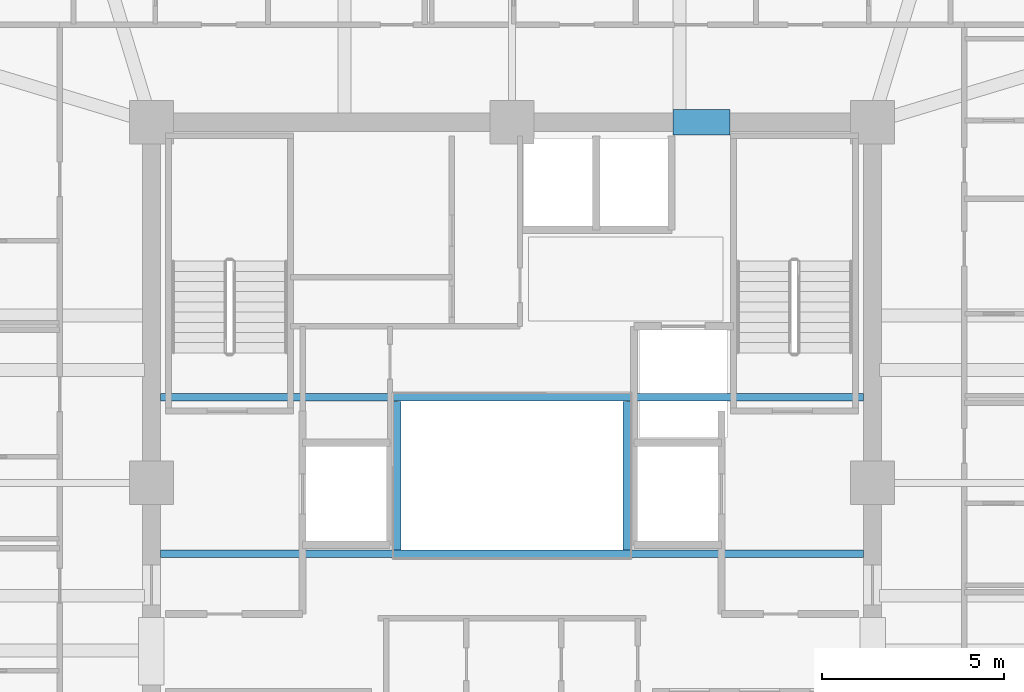
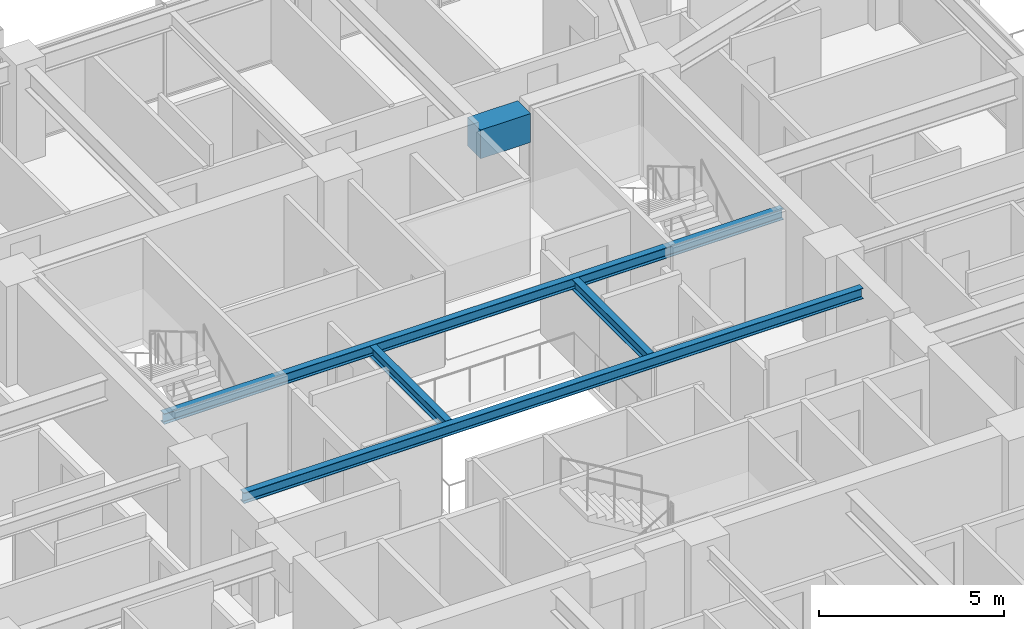
# One storey, part 13 of 37: 5 beams.
"""IFC4 building model written with IfcOpenShell, lengths in metres."""

from ifc_helpers import new_model, si_unit, direction, frame, origin, origin_2d, place, context, subcontext, project, spatial, rectangle, i_section, extrude, material, material_profile, profile_set, type_object, element, save


model = new_model("IFC4")

# Units and contexts
model_context = context("Model", 3, precision=1e-05, world=origin(), true_north=direction((0.0, 1.0)))
body_context = subcontext(model_context, "Body", "Model", "MODEL_VIEW")
ifc_project = project(units=[si_unit("LENGTHUNIT", "METRE"), si_unit("AREAUNIT", "SQUARE_METRE"), si_unit("VOLUMEUNIT", "CUBIC_METRE"), si_unit("PLANEANGLEUNIT", "RADIAN"), si_unit("MASSUNIT", "GRAM", prefix="KILO")], contexts=[model_context])

# Site, building, storey
site_placement = place(None, origin())
site = spatial("IfcSite", under=ifc_project, at=site_placement, CompositionType="ELEMENT")
building_placement = place(site_placement, origin())
building = spatial("IfcBuilding", under=site, at=building_placement, Name="Kolvaren Belvedere", CompositionType="ELEMENT")
storey_placement = place(building_placement, frame((0.0, 0.0, 156.89990234375)))
storey = spatial("IfcBuildingStorey", under=building, at=storey_placement, Name="L45", CompositionType="ELEMENT", Elevation=156.89990234375)

# Beams
ifc_material_1 = material(Name="Structural steel ASTM A992 Grade 50", Category="steel")
ifc_material_profile_1 = material_profile(ifc_material_1, i_section(OverallWidth=0.2041015625, OverallDepth=0.35009765625, WebThickness=0.008544921875, FlangeThickness=0.01513671875, FilletRadius=0.013916015625, at=origin_2d()), Name="W14X48")
ifc_profile_set_1 = profile_set([ifc_material_profile_1], Name="Structural steel ASTM A992 Grade 50")
beam_type_1 = type_object("IfcBeamType", Name="BM-ATRIUM-W14X48", PredefinedType="BEAM", material=ifc_profile_set_1)
for number, where, z_axis, x_axis, name in (
    (1, (-9.64990234375, -1.949951171875, 2.925048828125), (1.0, 0.0, 0.0), (0.0, 1.0, 0.0), "L45 Central Atrium South Girder AS"),
    (2, (-9.64990234375, 2.35009765625, 2.925048828125), (1.0, 0.0, 0.0), (0.0, 1.0, 0.0), "L45 Central Atrium North Girder AN"),
):
    element("IfcBeam", number, at=place(storey_placement, frame(where, z_axis=z_axis, x_axis=x_axis)), inside=storey, type_object=beam_type_1, Name=name, PredefinedType="BEAM", context=body_context, shape_type="SweptSolid", body=[
        extrude(i_section(OverallWidth=0.2041015625, OverallDepth=0.35009765625, WebThickness=0.008544921875, FlangeThickness=0.01513671875, FilletRadius=0.013916015625, at=origin_2d()), origin(), (0.0, 0.0, 1.0), 19.2998046875),
    ])
for number, where, z_axis, x_axis, name in (
    (3, (-3.14990234375, -1.840087890625, 2.925048828125), (0.0, 1.0, 0.0), (-1.0, 0.0, 0.0), "L45 Central Atrium West Edge Beam AW"),
    (4, (3.14990234375, -1.840087890625, 2.925048828125), (0.0, 1.0, 0.0), (-1.0, 0.0, 0.0), "L45 Central Atrium East Edge Beam AE"),
):
    element("IfcBeam", number, at=place(storey_placement, frame(where, z_axis=z_axis, x_axis=x_axis)), inside=storey, type_object=beam_type_1, Name=name, PredefinedType="BEAM", context=body_context, shape_type="SweptSolid", body=[
        extrude(i_section(OverallWidth=0.2041015625, OverallDepth=0.35009765625, WebThickness=0.008544921875, FlangeThickness=0.01513671875, FilletRadius=0.013916015625, at=origin_2d()), origin(), (0.0, 0.0, 1.0), 4.080078125),
    ])
ifc_material_2 = material(Name="Concrete C60/75", Category="concrete")
ifc_material_profile_2 = material_profile(ifc_material_2, rectangle(XDim=0.699951171875, YDim=0.949951171875, at=origin_2d()), Name="RC 700X950")
ifc_profile_set_2 = profile_set([ifc_material_profile_2], Name="Concrete C60/75")
beam_type_2 = type_object("IfcBeamType", Name="BM-LINT-950", PredefinedType="LINTEL", material=ifc_profile_set_2)
beam_placement = place(storey_placement, frame((4.419921875, 9.89990234375, 2.625), z_axis=(1.0, 0.0, 0.0), x_axis=(0.0, 1.0, 0.0)))
element("IfcBeam", 5, at=beam_placement, inside=storey, type_object=beam_type_2, Name="L45 North Core Coupling Lintel", PredefinedType="LINTEL", context=body_context, shape_type="SweptSolid", body=[
    extrude(rectangle(XDim=0.699951171875, YDim=0.949951171875, at=origin_2d()), origin(), (0.0, 0.0, 1.0), 1.56005859375),
])

save(model, "model.ifc")
